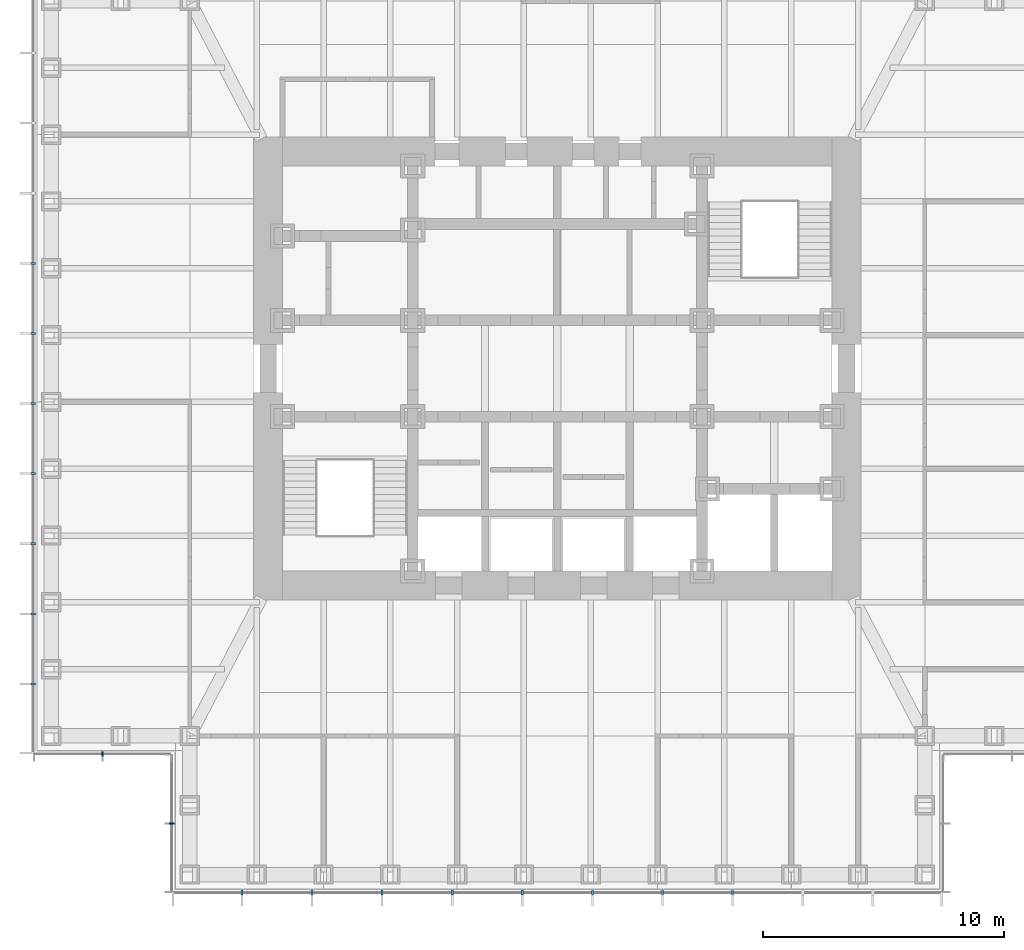
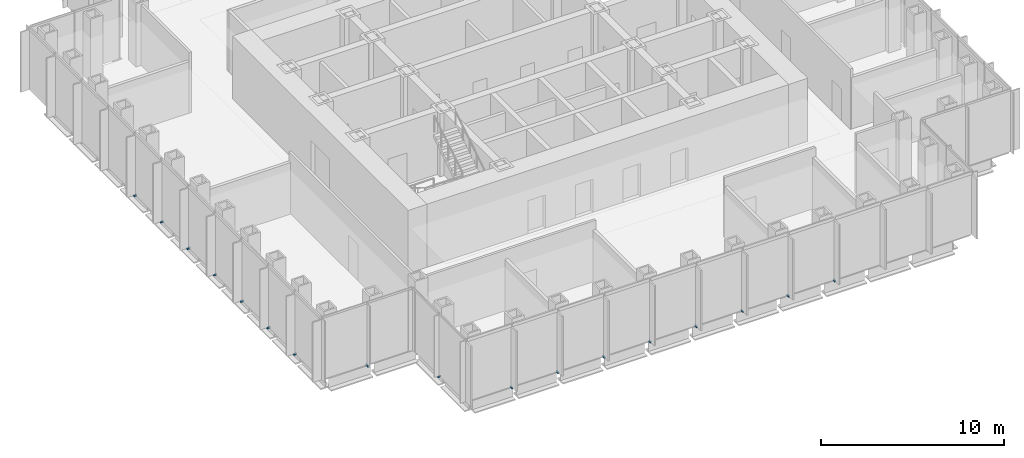
# One storey, part 11 of 16: 17 discrete accessories.
"""IFC4 building model written with IfcOpenShell, lengths in metres."""

from ifc_helpers import new_model, si_unit, direction, frame, origin, origin_2d, place, context, subcontext, project, spatial, rectangle, extrude, element, save


model = new_model("IFC4")

# Units and contexts
model_context = context("Model", 3, precision=1e-05, world=origin(), true_north=direction((0.0, 1.0)))
body_context = subcontext(model_context, "Body", "Model", "MODEL_VIEW")
ifc_project = project(units=[si_unit("LENGTHUNIT", "METRE"), si_unit("AREAUNIT", "SQUARE_METRE"), si_unit("VOLUMEUNIT", "CUBIC_METRE"), si_unit("PLANEANGLEUNIT", "RADIAN"), si_unit("MASSUNIT", "GRAM", prefix="KILO")], contexts=[model_context])

# Site, building, storey
site_placement = place(None, origin())
site = spatial("IfcSite", under=ifc_project, at=site_placement, CompositionType="ELEMENT")
building_placement = place(site_placement, origin())
building = spatial("IfcBuilding", under=site, at=building_placement, Name="Daluyong Arena Tower", CompositionType="ELEMENT")
storey_placement = place(building_placement, frame((0.0, 0.0, 267.10009765625)))
storey = spatial("IfcBuildingStorey", under=building, at=storey_placement, Name="L60", CompositionType="ELEMENT", Elevation=267.10009765625)

# Discrete accessories
for number, where, z_axis, x_axis, name in (
    (1, (42.9091796875, 58.25, -0.10009765625), (0.0, 0.0, 1.0), (1.0, 0.0, 0.0), "curtain wall L60 S anchor bracket 2"),
    (2, (45.818115234375, 58.25, -0.10009765625), (0.0, 0.0, 1.0), (1.0, 0.0, 0.0), "curtain wall L60 S anchor bracket 3"),
    (3, (48.727294921875, 58.25, -0.10009765625), (0.0, 0.0, 1.0), (1.0, 0.0, 0.0), "curtain wall L60 S anchor bracket 4"),
    (4, (51.636474609375, 58.25, -0.10009765625), (0.0, 0.0, 1.0), (1.0, 0.0, 0.0), "curtain wall L60 S anchor bracket 5"),
    (5, (54.54541015625, 58.25, -0.10009765625), (0.0, 0.0, 1.0), (1.0, 0.0, 0.0), "curtain wall L60 S anchor bracket 6"),
    (6, (57.45458984375, 58.25, -0.10009765625), (0.0, 0.0, 1.0), (1.0, 0.0, 0.0), "curtain wall L60 S anchor bracket 7"),
    (7, (60.363525390625, 58.25, -0.10009765625), (0.0, 0.0, 1.0), (1.0, 0.0, 0.0), "curtain wall L60 S anchor bracket 8"),
    (8, (63.272705078125, 58.25, -0.10009765625), (0.0, 0.0, 1.0), (1.0, 0.0, 0.0), "curtain wall L60 S anchor bracket 9"),
    (9, (34.25, 84.363525390625, -0.10009765625), (0.0, 0.0, 1.0), (0.0, -1.0, 0.0), "curtain wall L60 W anchor bracket 5"),
    (10, (34.25, 81.45458984375, -0.10009765625), (0.0, 0.0, 1.0), (0.0, -1.0, 0.0), "curtain wall L60 W anchor bracket 6"),
    (11, (34.25, 78.54541015625, -0.10009765625), (0.0, 0.0, 1.0), (0.0, -1.0, 0.0), "curtain wall L60 W anchor bracket 7"),
    (12, (34.25, 75.636474609375, -0.10009765625), (0.0, 0.0, 1.0), (0.0, -1.0, 0.0), "curtain wall L60 W anchor bracket 8"),
    (13, (34.25, 72.727294921875, -0.10009765625), (0.0, 0.0, 1.0), (0.0, -1.0, 0.0), "curtain wall L60 W anchor bracket 9"),
    (14, (34.25, 69.818115234375, -0.10009765625), (0.0, 0.0, 1.0), (0.0, -1.0, 0.0), "curtain wall L60 W anchor bracket 10"),
    (15, (34.25, 66.9091796875, -0.10009765625), (0.0, 0.0, 1.0), (0.0, -1.0, 0.0), "curtain wall L60 W anchor bracket 11"),
):
    element("IfcDiscreteAccessory", number, at=place(storey_placement, frame(where, z_axis=z_axis, x_axis=x_axis)), inside=storey, Name=name, PredefinedType="BRACKET", context=body_context, shape_type="SweptSolid", body=[
        extrude(rectangle(XDim=0.090087890625, YDim=0.199951171875, at=origin_2d()), origin(), (0.0, 0.0, 1.0), 0.10009765625),
    ])
for number, where, z_axis, x_axis, name in (
    (16, (37.125, 64.0, -0.10009765625), (0.0, 0.0, 1.0), (1.0, 0.0, 0.0), "curtain wall L60 SW-S anchor bracket 2"),
    (17, (40.0, 61.125, -0.10009765625), (0.0, 0.0, 1.0), (0.0, -1.0, 0.0), "curtain wall L60 SW-W anchor bracket 2"),
):
    element("IfcDiscreteAccessory", number, at=place(storey_placement, frame(where, z_axis=z_axis, x_axis=x_axis)), inside=storey, Name=name, PredefinedType="BRACKET", context=body_context, shape_type="SweptSolid", body=[
        extrude(rectangle(XDim=0.06005859375, YDim=0.199951171875, at=origin_2d()), origin(), (0.0, 0.0, 1.0), 0.10009765625),
    ])

save(model, "model.ifc")
